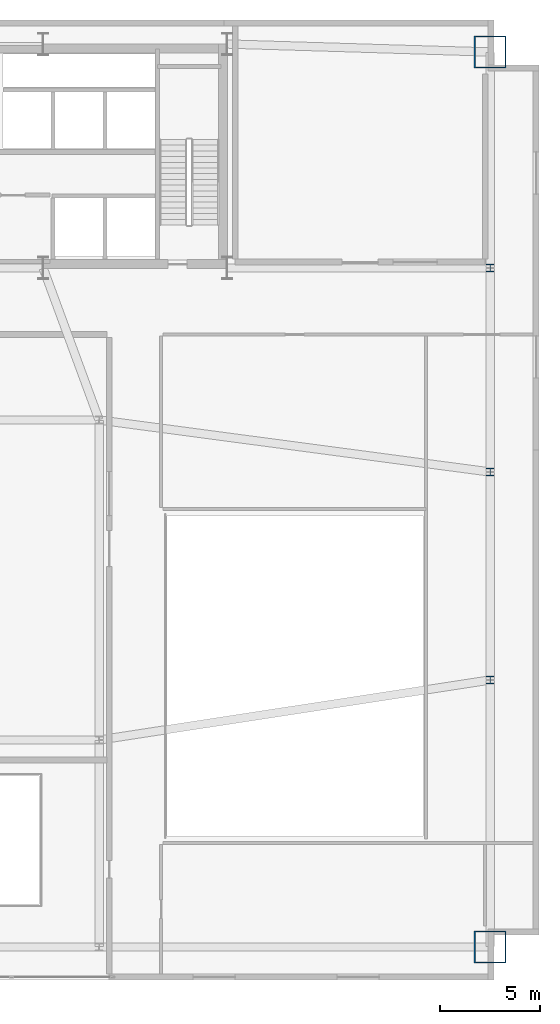
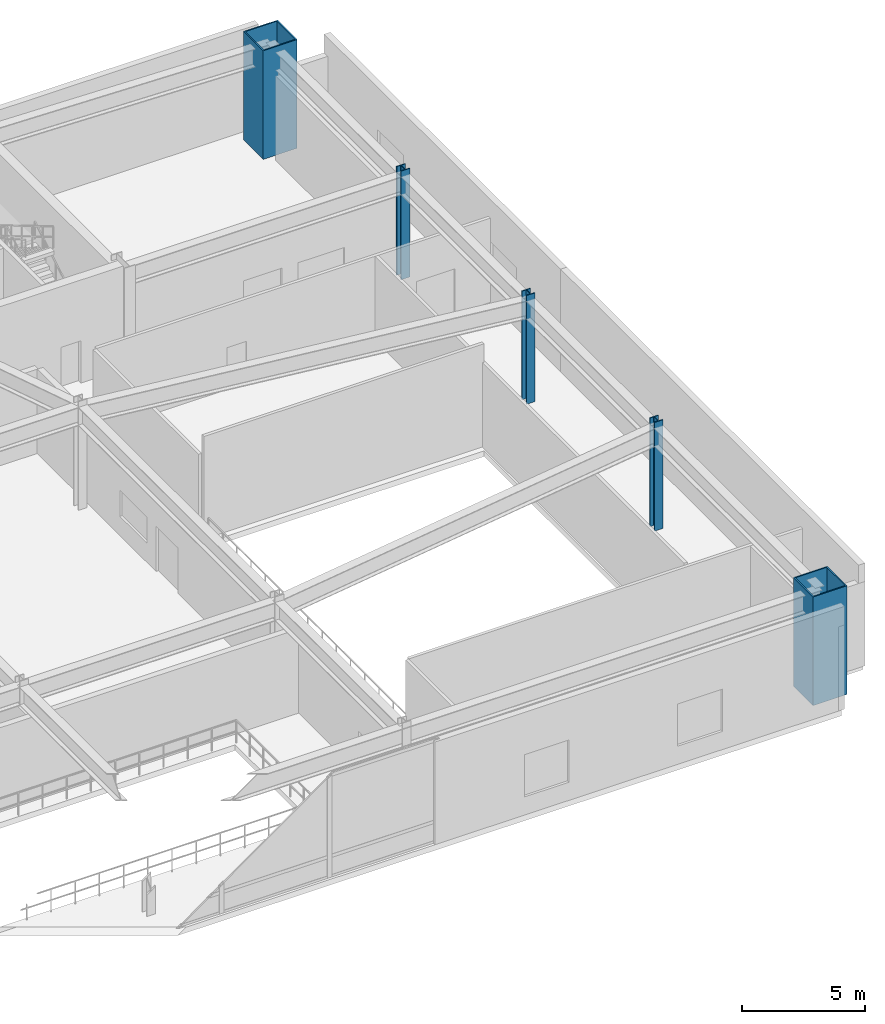
# One storey, part 2 of 13: 5 columns.
"""IFC4 building model written with IfcOpenShell, lengths in metres."""

from ifc_helpers import new_model, si_unit, direction, frame, origin, origin_2d, place, context, subcontext, project, spatial, hollow_rectangle, i_section, extrude, source, transform, mapped, material, material_profile, profile_set, type_object, type_shapes, element, save


model = new_model("IFC4")

# Units and contexts
model_context = context("Model", 3, precision=1e-05, world=origin(), true_north=direction((0.0, 1.0)))
body_context = subcontext(model_context, "Body", "Model", "MODEL_VIEW")
ifc_project = project(units=[si_unit("LENGTHUNIT", "METRE"), si_unit("AREAUNIT", "SQUARE_METRE"), si_unit("VOLUMEUNIT", "CUBIC_METRE"), si_unit("PLANEANGLEUNIT", "RADIAN"), si_unit("MASSUNIT", "GRAM", prefix="KILO")], contexts=[model_context])

# Site, building, storey
site_placement = place(None, origin())
site = spatial("IfcSite", under=ifc_project, at=site_placement, CompositionType="ELEMENT")
building_placement = place(site_placement, origin())
building = spatial("IfcBuilding", under=site, at=building_placement, Name="Varnel Quay Broadcast Tower", CompositionType="ELEMENT")
storey_placement = place(building_placement, frame((0.0, 0.0, 6.0)))
storey = spatial("IfcBuildingStorey", under=building, at=storey_placement, Name="L01", CompositionType="ELEMENT", Elevation=6.0)

# Columns
ifc_material_1 = material(Name="Structural Steel CSA G40.21 350WT", Category="steel")
ifc_material_profile_1 = material_profile(ifc_material_1, hollow_rectangle(XDim=1.60009765625, YDim=1.60009765625, WallThickness=0.06005859375, at=origin_2d()), Name="BOX1600X1600X60")
ifc_profile_set_1 = profile_set([ifc_material_profile_1], Name="Structural Steel CSA G40.21 350WT")
column_type_1 = type_object("IfcColumnType", Name="Col_BOX1600X1600X60", PredefinedType="COLUMN", material=ifc_profile_set_1)
shared_shape_1 = source(origin(), body_context, "Body", "SweptSolid", [
    extrude(hollow_rectangle(XDim=1.60009765625, YDim=1.60009765625, WallThickness=0.06005859375, at=origin_2d()), origin(), (0.0, 0.0, 1.0), 5.39990234375),
])
type_shapes(column_type_1, [shared_shape_1])
for number, where, z_axis, x_axis, name in (
    (1, (65.550048828125, 1.64990234375, 0.0), (0.0, 0.0, 1.0), (1.0, 0.0, 0.0), "L01 Column MC-SE"),
    (2, (65.550048828125, 46.39990234375, 0.0), (0.0, 0.0, 1.0), (1.0, 0.0, 0.0), "L01 Column MC-NE"),
):
    element("IfcColumn", number, at=place(storey_placement, frame(where, z_axis=z_axis, x_axis=x_axis)), inside=storey, type_object=column_type_1, Name=name, PredefinedType="COLUMN", context=body_context, shape_type="MappedRepresentation", body=[
        mapped(shared_shape_1, transform((0.0, 0.0, 0.0), x_axis=(1.0, 0.0, 0.0), y_axis=(0.0, 1.0, 0.0), z_axis=(0.0, 0.0, 1.0), scale=1.0)),
    ])
ifc_material_2 = material(Name="Structural Steel CSA G40.21 350W", Category="steel")
ifc_material_profile_2 = material_profile(ifc_material_2, i_section(OverallWidth=0.404052734375, OverallDepth=0.406982421875, WebThickness=0.027099609375, FlangeThickness=0.043701171875, FilletRadius=0.01806640625, at=origin_2d()), Name="W360X347")
ifc_profile_set_2 = profile_set([ifc_material_profile_2], Name="Structural Steel CSA G40.21 350W")
column_type_2 = type_object("IfcColumnType", Name="Col_W360X347", PredefinedType="COLUMN", material=ifc_profile_set_2)
shared_shape_2 = source(origin(), body_context, "Body", "SweptSolid", [
    extrude(i_section(OverallWidth=0.404052734375, OverallDepth=0.406982421875, WebThickness=0.027099609375, FlangeThickness=0.043701171875, FilletRadius=0.01806640625, at=origin_2d()), origin(), (0.0, 0.0, 1.0), 5.39990234375),
])
type_shapes(column_type_2, [shared_shape_2])
for number, where, z_axis, x_axis, name in (
    (3, (65.550048828125, 15.0, 0.0), (0.0, 0.0, 1.0), (1.0, 0.0, 0.0), "L01 Column PC-12"),
    (4, (65.550048828125, 25.39990234375, 0.0), (0.0, 0.0, 1.0), (1.0, 0.0, 0.0), "L01 Column PC-13"),
    (5, (65.550048828125, 35.60009765625, 0.0), (0.0, 0.0, 1.0), (1.0, 0.0, 0.0), "L01 Column PC-14"),
):
    element("IfcColumn", number, at=place(storey_placement, frame(where, z_axis=z_axis, x_axis=x_axis)), inside=storey, type_object=column_type_2, Name=name, PredefinedType="COLUMN", context=body_context, shape_type="MappedRepresentation", body=[
        mapped(shared_shape_2, transform((0.0, 0.0, 0.0), x_axis=(1.0, 0.0, 0.0), y_axis=(0.0, 1.0, 0.0), z_axis=(0.0, 0.0, 1.0), scale=1.0)),
    ])

save(model, "model.ifc")
